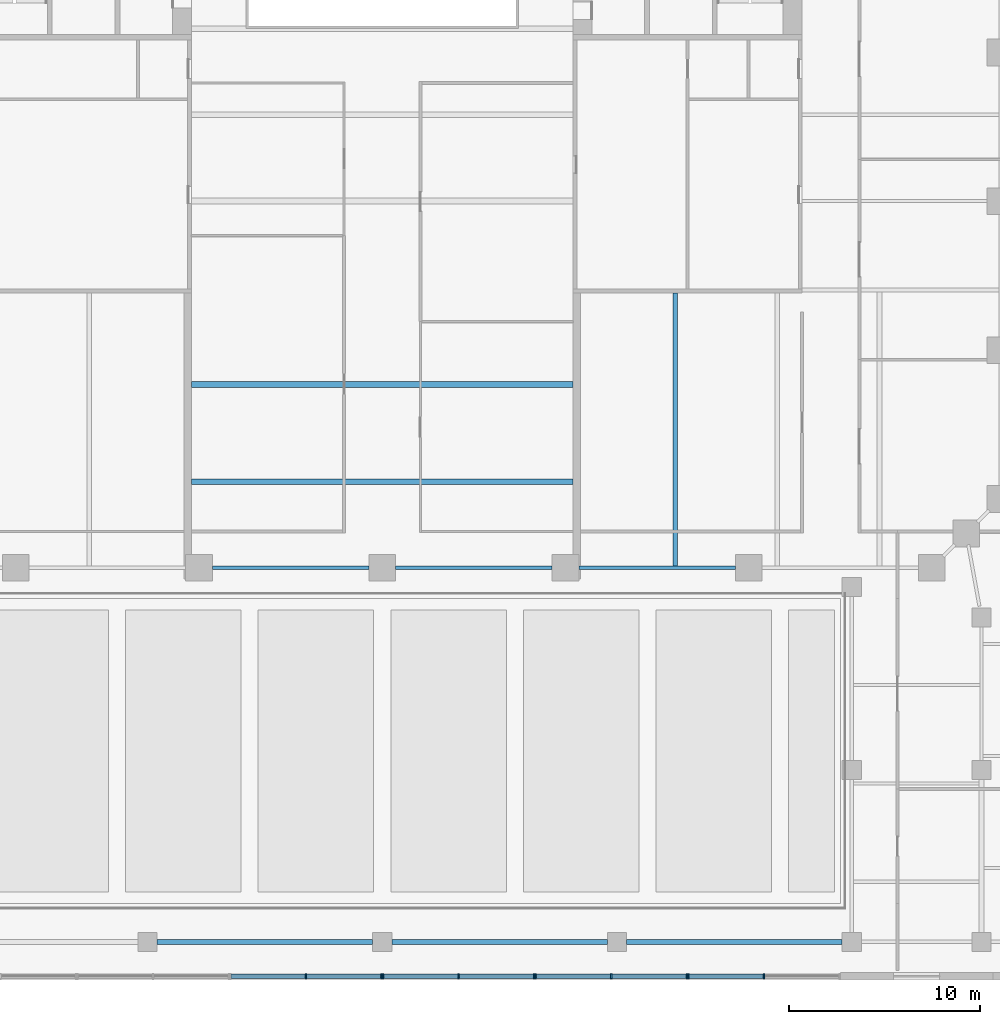
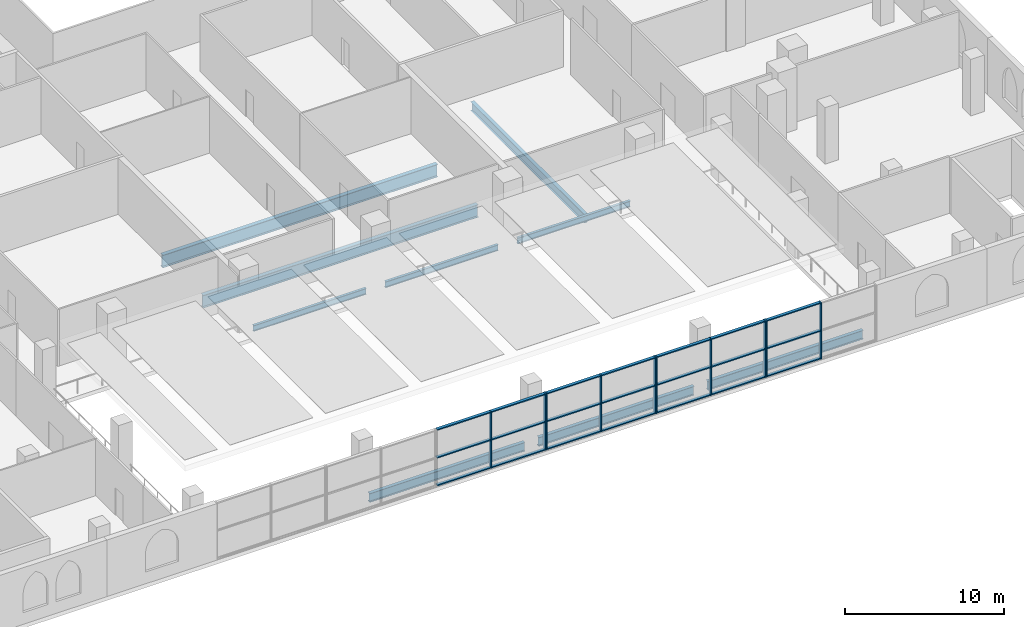
# One storey, part 3 of 18: 31 members, 9 beams, 4 elements without a shape of their own.
"""IFC4 building model written with IfcOpenShell, lengths in metres."""

from ifc_helpers import new_model, si_unit, direction, frame, origin, origin_2d, place, context, subcontext, project, spatial, rectangle, i_section, extrude, material, material_profile, profile_set, type_object, element, aggregate, save


model = new_model("IFC4")

# Units and contexts
model_context = context("Model", 3, precision=1e-05, world=origin(), true_north=direction((0.0, 1.0)))
body_context = subcontext(model_context, "Body", "Model", "MODEL_VIEW")
ifc_project = project(units=[si_unit("LENGTHUNIT", "METRE"), si_unit("AREAUNIT", "SQUARE_METRE"), si_unit("VOLUMEUNIT", "CUBIC_METRE"), si_unit("PLANEANGLEUNIT", "RADIAN"), si_unit("MASSUNIT", "GRAM", prefix="KILO")], contexts=[model_context])

# Site, building, storey
site_placement = place(None, origin())
site = spatial("IfcSite", under=ifc_project, at=site_placement, CompositionType="ELEMENT")
building_placement = place(site_placement, origin())
building = spatial("IfcBuilding", under=site, at=building_placement, Name="Ogive Exchange Tower", CompositionType="ELEMENT")
storey_placement = place(building_placement, frame((0.0, 0.0, 28.800048828125)))
storey = spatial("IfcBuildingStorey", under=building, at=storey_placement, Name="L05", CompositionType="ELEMENT", Elevation=28.800048828125)

# Beams
ifc_material_1 = material(Name="Steel ASTM A992 Gr50", Category="steel")
ifc_material_profile_1 = material_profile(ifc_material_1, i_section(OverallWidth=0.300048828125, OverallDepth=0.969970703125, WebThickness=0.01611328125, FlangeThickness=0.02099609375, at=origin_2d()), Name="W1000x222")
ifc_profile_set_1 = profile_set([ifc_material_profile_1], Name="Steel ASTM A992 Gr50")
beam_type_1 = type_object("IfcBeamType", Name="Floor beam W1000x222", PredefinedType="JOIST", material=ifc_profile_set_1)
for number, where, z_axis, x_axis, name in (
    (1, (-10.0, -25.896728515625, -0.78515625), (1.0, 0.0, 0.0), (0.0, 1.0, 0.0), "Floor beam"),
    (2, (-10.0, -20.793212890625, -0.78515625), (1.0, 0.0, 0.0), (0.0, 1.0, 0.0), "Floor beam"),
):
    element("IfcBeam", number, at=place(storey_placement, frame(where, z_axis=z_axis, x_axis=x_axis)), inside=storey, type_object=beam_type_1, Name=name, PredefinedType="JOIST", context=body_context, shape_type="SweptSolid", body=[
        extrude(i_section(OverallWidth=0.300048828125, OverallDepth=0.969970703125, WebThickness=0.01611328125, FlangeThickness=0.02099609375, at=origin_2d()), origin(), (0.0, 0.0, 1.0), 20.0),
    ])
ifc_material_profile_2 = material_profile(ifc_material_1, i_section(OverallWidth=0.25390625, OverallDepth=0.68310546875, WebThickness=0.012451171875, FlangeThickness=0.018798828125, at=origin_2d()), Name="W690x140")
ifc_profile_set_2 = profile_set([ifc_material_profile_2], Name="Steel ASTM A992 Gr50")
beam_type_2 = type_object("IfcBeamType", Name="Floor beam W690x140", PredefinedType="JOIST", material=ifc_profile_set_2)
beam_placement = place(storey_placement, frame((15.35009765625, -30.304443359375, -0.6416015625), z_axis=(0.0, 1.0, 0.0), x_axis=(-1.0, 0.0, 0.0)))
element("IfcBeam", 3, at=beam_placement, inside=storey, type_object=beam_type_2, Name="Floor beam", PredefinedType="JOIST", context=body_context, shape_type="SweptSolid", body=[
    extrude(i_section(OverallWidth=0.25390625, OverallDepth=0.68310546875, WebThickness=0.012451171875, FlangeThickness=0.018798828125, at=origin_2d()), origin(), (0.0, 0.0, 1.0), 14.304443359375),
])

# Curtain wall, members
ifc_material_2 = material(Name="Anodised aluminium and clear glass", Category="aluminium")
curtain_wall_type = type_object("IfcCurtainWallType", Name="Galleria end wall glazing", PredefinedType="NOTDEFINED", material=ifc_material_2)
curtain_wall_1_placement = place(storey_placement, origin())
curtain_wall_1 = element("IfcCurtainWall", 4, at=curtain_wall_1_placement, inside=storey, type_object=curtain_wall_type, Name="Galleria end wall glazing run GE6", PredefinedType="NOTDEFINED")
ifc_material_3 = material(Name="Anodised aluminium", Category="aluminium")
ifc_material_profile_3 = material_profile(ifc_material_3, rectangle(XDim=0.260009765625, YDim=0.080078125, at=origin_2d()), Name="AL 80x260")
ifc_profile_set_3 = profile_set([ifc_material_profile_3], Name="Anodised aluminium")
member_type_1 = type_object("IfcMemberType", Name="Galleria end wall glazing mullion 80 x 260", PredefinedType="MULLION", material=ifc_profile_set_3)
member_1_placement = place(storey_placement, frame((-4.0, -51.800048828125, 0.0), z_axis=(0.0, 0.0, 1.0), x_axis=(0.0, 1.0, 0.0)))
member_1 = element("IfcMember", 5, at=member_1_placement, type_object=member_type_1, Name="GE6 mullion 2", PredefinedType="MULLION", context=body_context, shape_type="SweptSolid", body=[
    extrude(rectangle(XDim=0.260009765625, YDim=0.080078125, at=origin_2d()), origin(), (0.0, 0.0, 1.0), 4.349853515625),
])
member_2_placement = place(storey_placement, frame((-0.0400390625, -51.800048828125, 0.0), z_axis=(0.0, 0.0, 1.0), x_axis=(0.0, 1.0, 0.0)))
member_2 = element("IfcMember", 6, at=member_2_placement, type_object=member_type_1, Name="GE6 mullion 3", PredefinedType="MULLION", context=body_context, shape_type="SweptSolid", body=[
    extrude(rectangle(XDim=0.260009765625, YDim=0.080078125, at=origin_2d()), origin(), (0.0, 0.0, 1.0), 4.349853515625),
])

curtain_wall_2_placement = place(storey_placement, origin())
curtain_wall_2 = element("IfcCurtainWall", 7, at=curtain_wall_2_placement, inside=storey, type_object=curtain_wall_type, Name="Galleria end wall glazing run GE7", PredefinedType="NOTDEFINED")
member_3_placement = place(storey_placement, frame((0.0400390625, -51.800048828125, 0.0), z_axis=(0.0, 0.0, 1.0), x_axis=(0.0, 1.0, 0.0)))
member_3 = element("IfcMember", 8, at=member_3_placement, type_object=member_type_1, Name="GE7 mullion 1", PredefinedType="MULLION", context=body_context, shape_type="SweptSolid", body=[
    extrude(rectangle(XDim=0.260009765625, YDim=0.080078125, at=origin_2d()), origin(), (0.0, 0.0, 1.0), 4.349853515625),
])
member_4_placement = place(storey_placement, frame((4.0, -51.800048828125, 0.0), z_axis=(0.0, 0.0, 1.0), x_axis=(0.0, 1.0, 0.0)))
member_4 = element("IfcMember", 9, at=member_4_placement, type_object=member_type_1, Name="GE7 mullion 2", PredefinedType="MULLION", context=body_context, shape_type="SweptSolid", body=[
    extrude(rectangle(XDim=0.260009765625, YDim=0.080078125, at=origin_2d()), origin(), (0.0, 0.0, 1.0), 4.349853515625),
])
member_5_placement = place(storey_placement, frame((7.9599609375, -51.800048828125, 0.0), z_axis=(0.0, 0.0, 1.0), x_axis=(0.0, 1.0, 0.0)))
member_5 = element("IfcMember", 10, at=member_5_placement, type_object=member_type_1, Name="GE7 mullion 3", PredefinedType="MULLION", context=body_context, shape_type="SweptSolid", body=[
    extrude(rectangle(XDim=0.260009765625, YDim=0.080078125, at=origin_2d()), origin(), (0.0, 0.0, 1.0), 4.349853515625),
])

curtain_wall_3_placement = place(storey_placement, origin())
curtain_wall_3 = element("IfcCurtainWall", 11, at=curtain_wall_3_placement, inside=storey, type_object=curtain_wall_type, Name="Galleria end wall glazing run GE8", PredefinedType="NOTDEFINED")
member_6_placement = place(storey_placement, frame((8.0400390625, -51.800048828125, 0.0), z_axis=(0.0, 0.0, 1.0), x_axis=(0.0, 1.0, 0.0)))
member_6 = element("IfcMember", 12, at=member_6_placement, type_object=member_type_1, Name="GE8 mullion 1", PredefinedType="MULLION", context=body_context, shape_type="SweptSolid", body=[
    extrude(rectangle(XDim=0.260009765625, YDim=0.080078125, at=origin_2d()), origin(), (0.0, 0.0, 1.0), 4.349853515625),
])
member_7_placement = place(storey_placement, frame((12.0, -51.800048828125, 0.0), z_axis=(0.0, 0.0, 1.0), x_axis=(0.0, 1.0, 0.0)))
member_7 = element("IfcMember", 13, at=member_7_placement, type_object=member_type_1, Name="GE8 mullion 2", PredefinedType="MULLION", context=body_context, shape_type="SweptSolid", body=[
    extrude(rectangle(XDim=0.260009765625, YDim=0.080078125, at=origin_2d()), origin(), (0.0, 0.0, 1.0), 4.349853515625),
])
member_8_placement = place(storey_placement, frame((15.9599609375, -51.800048828125, 0.0), z_axis=(0.0, 0.0, 1.0), x_axis=(0.0, 1.0, 0.0)))
member_8 = element("IfcMember", 14, at=member_8_placement, type_object=member_type_1, Name="GE8 mullion 3", PredefinedType="MULLION", context=body_context, shape_type="SweptSolid", body=[
    extrude(rectangle(XDim=0.260009765625, YDim=0.080078125, at=origin_2d()), origin(), (0.0, 0.0, 1.0), 4.349853515625),
])

curtain_wall_4_placement = place(storey_placement, origin())
curtain_wall_4 = element("IfcCurtainWall", 15, at=curtain_wall_4_placement, inside=storey, type_object=curtain_wall_type, Name="Galleria end wall glazing run GE9", PredefinedType="NOTDEFINED")
member_9_placement = place(storey_placement, frame((16.0400390625, -51.800048828125, 0.0), z_axis=(0.0, 0.0, 1.0), x_axis=(0.0, 1.0, 0.0)))
member_9 = element("IfcMember", 16, at=member_9_placement, type_object=member_type_1, Name="GE9 mullion 1", PredefinedType="MULLION", context=body_context, shape_type="SweptSolid", body=[
    extrude(rectangle(XDim=0.260009765625, YDim=0.080078125, at=origin_2d()), origin(), (0.0, 0.0, 1.0), 4.349853515625),
])
member_10_placement = place(storey_placement, frame((20.0, -51.800048828125, 0.0), z_axis=(0.0, 0.0, 1.0), x_axis=(0.0, 1.0, 0.0)))
member_10 = element("IfcMember", 17, at=member_10_placement, type_object=member_type_1, Name="GE9 mullion 2", PredefinedType="MULLION", context=body_context, shape_type="SweptSolid", body=[
    extrude(rectangle(XDim=0.260009765625, YDim=0.080078125, at=origin_2d()), origin(), (0.0, 0.0, 1.0), 4.349853515625),
])

# Member
ifc_material_profile_4 = material_profile(ifc_material_3, rectangle(XDim=0.219970703125, YDim=0.080078125, at=origin_2d()), Name="AL 80x220")
ifc_profile_set_4 = profile_set([ifc_material_profile_4], Name="Anodised aluminium")
member_type_2 = type_object("IfcMemberType", Name="Galleria end wall glazing transom 80 x 220", PredefinedType="USERDEFINED", material=ifc_profile_set_4)
member_11_placement = place(storey_placement, frame((-7.919921875, -51.800048828125, 0.0400390625), z_axis=(1.0, 0.0, 0.0), x_axis=(0.0, 1.0, 0.0)))
member_11 = element("IfcMember", 18, at=member_11_placement, type_object=member_type_2, Name="GE6 transom 1.1", ObjectType="TRANSOM", PredefinedType="USERDEFINED", context=body_context, shape_type="SweptSolid", body=[
    extrude(rectangle(XDim=0.219970703125, YDim=0.080078125, at=origin_2d()), origin(), (0.0, 0.0, 1.0), 3.8798828125),
])

member_12_placement = place(storey_placement, frame((-7.919921875, -51.800048828125, 2.175048828125), z_axis=(1.0, 0.0, 0.0), x_axis=(0.0, 1.0, 0.0)))
member_12 = element("IfcMember", 19, at=member_12_placement, type_object=member_type_2, Name="GE6 transom 1.2", ObjectType="TRANSOM", PredefinedType="USERDEFINED", context=body_context, shape_type="SweptSolid", body=[
    extrude(rectangle(XDim=0.219970703125, YDim=0.080078125, at=origin_2d()), origin(), (0.0, 0.0, 1.0), 3.8798828125),
])

member_13_placement = place(storey_placement, frame((-7.919921875, -51.800048828125, 4.31005859375), z_axis=(1.0, 0.0, 0.0), x_axis=(0.0, 1.0, 0.0)))
member_13 = element("IfcMember", 20, at=member_13_placement, type_object=member_type_2, Name="GE6 transom 1.3", ObjectType="TRANSOM", PredefinedType="USERDEFINED", context=body_context, shape_type="SweptSolid", body=[
    extrude(rectangle(XDim=0.219970703125, YDim=0.080078125, at=origin_2d()), origin(), (0.0, 0.0, 1.0), 3.8798828125),
])

member_14_placement = place(storey_placement, frame((-3.9599609375, -51.800048828125, 0.0400390625), z_axis=(1.0, 0.0, 0.0), x_axis=(0.0, 1.0, 0.0)))
member_14 = element("IfcMember", 21, at=member_14_placement, type_object=member_type_2, Name="GE6 transom 2.1", ObjectType="TRANSOM", PredefinedType="USERDEFINED", context=body_context, shape_type="SweptSolid", body=[
    extrude(rectangle(XDim=0.219970703125, YDim=0.080078125, at=origin_2d()), origin(), (0.0, 0.0, 1.0), 3.8798828125),
])

member_15_placement = place(storey_placement, frame((-3.9599609375, -51.800048828125, 2.175048828125), z_axis=(1.0, 0.0, 0.0), x_axis=(0.0, 1.0, 0.0)))
member_15 = element("IfcMember", 22, at=member_15_placement, type_object=member_type_2, Name="GE6 transom 2.2", ObjectType="TRANSOM", PredefinedType="USERDEFINED", context=body_context, shape_type="SweptSolid", body=[
    extrude(rectangle(XDim=0.219970703125, YDim=0.080078125, at=origin_2d()), origin(), (0.0, 0.0, 1.0), 3.8798828125),
])

member_16_placement = place(storey_placement, frame((-3.9599609375, -51.800048828125, 4.31005859375), z_axis=(1.0, 0.0, 0.0), x_axis=(0.0, 1.0, 0.0)))
member_16 = element("IfcMember", 23, at=member_16_placement, type_object=member_type_2, Name="GE6 transom 2.3", ObjectType="TRANSOM", PredefinedType="USERDEFINED", context=body_context, shape_type="SweptSolid", body=[
    extrude(rectangle(XDim=0.219970703125, YDim=0.080078125, at=origin_2d()), origin(), (0.0, 0.0, 1.0), 3.8798828125),
])

aggregate(curtain_wall_1, [member_1, member_2, member_11, member_12, member_13, member_14, member_15, member_16])

member_17_placement = place(storey_placement, frame((0.080078125, -51.800048828125, 0.0400390625), z_axis=(1.0, 0.0, 0.0), x_axis=(0.0, 1.0, 0.0)))
member_17 = element("IfcMember", 24, at=member_17_placement, type_object=member_type_2, Name="GE7 transom 1.1", ObjectType="TRANSOM", PredefinedType="USERDEFINED", context=body_context, shape_type="SweptSolid", body=[
    extrude(rectangle(XDim=0.219970703125, YDim=0.080078125, at=origin_2d()), origin(), (0.0, 0.0, 1.0), 3.8798828125),
])

member_18_placement = place(storey_placement, frame((0.080078125, -51.800048828125, 2.175048828125), z_axis=(1.0, 0.0, 0.0), x_axis=(0.0, 1.0, 0.0)))
member_18 = element("IfcMember", 25, at=member_18_placement, type_object=member_type_2, Name="GE7 transom 1.2", ObjectType="TRANSOM", PredefinedType="USERDEFINED", context=body_context, shape_type="SweptSolid", body=[
    extrude(rectangle(XDim=0.219970703125, YDim=0.080078125, at=origin_2d()), origin(), (0.0, 0.0, 1.0), 3.8798828125),
])

member_19_placement = place(storey_placement, frame((0.080078125, -51.800048828125, 4.31005859375), z_axis=(1.0, 0.0, 0.0), x_axis=(0.0, 1.0, 0.0)))
member_19 = element("IfcMember", 26, at=member_19_placement, type_object=member_type_2, Name="GE7 transom 1.3", ObjectType="TRANSOM", PredefinedType="USERDEFINED", context=body_context, shape_type="SweptSolid", body=[
    extrude(rectangle(XDim=0.219970703125, YDim=0.080078125, at=origin_2d()), origin(), (0.0, 0.0, 1.0), 3.8798828125),
])

member_20_placement = place(storey_placement, frame((4.0400390625, -51.800048828125, 0.0400390625), z_axis=(1.0, 0.0, 0.0), x_axis=(0.0, 1.0, 0.0)))
member_20 = element("IfcMember", 27, at=member_20_placement, type_object=member_type_2, Name="GE7 transom 2.1", ObjectType="TRANSOM", PredefinedType="USERDEFINED", context=body_context, shape_type="SweptSolid", body=[
    extrude(rectangle(XDim=0.219970703125, YDim=0.080078125, at=origin_2d()), origin(), (0.0, 0.0, 1.0), 3.8798828125),
])

member_21_placement = place(storey_placement, frame((4.0400390625, -51.800048828125, 2.175048828125), z_axis=(1.0, 0.0, 0.0), x_axis=(0.0, 1.0, 0.0)))
member_21 = element("IfcMember", 28, at=member_21_placement, type_object=member_type_2, Name="GE7 transom 2.2", ObjectType="TRANSOM", PredefinedType="USERDEFINED", context=body_context, shape_type="SweptSolid", body=[
    extrude(rectangle(XDim=0.219970703125, YDim=0.080078125, at=origin_2d()), origin(), (0.0, 0.0, 1.0), 3.8798828125),
])

member_22_placement = place(storey_placement, frame((4.0400390625, -51.800048828125, 4.31005859375), z_axis=(1.0, 0.0, 0.0), x_axis=(0.0, 1.0, 0.0)))
member_22 = element("IfcMember", 29, at=member_22_placement, type_object=member_type_2, Name="GE7 transom 2.3", ObjectType="TRANSOM", PredefinedType="USERDEFINED", context=body_context, shape_type="SweptSolid", body=[
    extrude(rectangle(XDim=0.219970703125, YDim=0.080078125, at=origin_2d()), origin(), (0.0, 0.0, 1.0), 3.8798828125),
])

aggregate(curtain_wall_2, [member_3, member_4, member_5, member_17, member_18, member_19, member_20, member_21, member_22])

member_23_placement = place(storey_placement, frame((8.080078125, -51.800048828125, 0.0400390625), z_axis=(1.0, 0.0, 0.0), x_axis=(0.0, 1.0, 0.0)))
member_23 = element("IfcMember", 30, at=member_23_placement, type_object=member_type_2, Name="GE8 transom 1.1", ObjectType="TRANSOM", PredefinedType="USERDEFINED", context=body_context, shape_type="SweptSolid", body=[
    extrude(rectangle(XDim=0.219970703125, YDim=0.080078125, at=origin_2d()), origin(), (0.0, 0.0, 1.0), 3.8798828125),
])

member_24_placement = place(storey_placement, frame((8.080078125, -51.800048828125, 2.175048828125), z_axis=(1.0, 0.0, 0.0), x_axis=(0.0, 1.0, 0.0)))
member_24 = element("IfcMember", 31, at=member_24_placement, type_object=member_type_2, Name="GE8 transom 1.2", ObjectType="TRANSOM", PredefinedType="USERDEFINED", context=body_context, shape_type="SweptSolid", body=[
    extrude(rectangle(XDim=0.219970703125, YDim=0.080078125, at=origin_2d()), origin(), (0.0, 0.0, 1.0), 3.8798828125),
])

member_25_placement = place(storey_placement, frame((8.080078125, -51.800048828125, 4.31005859375), z_axis=(1.0, 0.0, 0.0), x_axis=(0.0, 1.0, 0.0)))
member_25 = element("IfcMember", 32, at=member_25_placement, type_object=member_type_2, Name="GE8 transom 1.3", ObjectType="TRANSOM", PredefinedType="USERDEFINED", context=body_context, shape_type="SweptSolid", body=[
    extrude(rectangle(XDim=0.219970703125, YDim=0.080078125, at=origin_2d()), origin(), (0.0, 0.0, 1.0), 3.8798828125),
])

member_26_placement = place(storey_placement, frame((12.0400390625, -51.800048828125, 0.0400390625), z_axis=(1.0, 0.0, 0.0), x_axis=(0.0, 1.0, 0.0)))
member_26 = element("IfcMember", 33, at=member_26_placement, type_object=member_type_2, Name="GE8 transom 2.1", ObjectType="TRANSOM", PredefinedType="USERDEFINED", context=body_context, shape_type="SweptSolid", body=[
    extrude(rectangle(XDim=0.219970703125, YDim=0.080078125, at=origin_2d()), origin(), (0.0, 0.0, 1.0), 3.8798828125),
])

member_27_placement = place(storey_placement, frame((12.0400390625, -51.800048828125, 2.175048828125), z_axis=(1.0, 0.0, 0.0), x_axis=(0.0, 1.0, 0.0)))
member_27 = element("IfcMember", 34, at=member_27_placement, type_object=member_type_2, Name="GE8 transom 2.2", ObjectType="TRANSOM", PredefinedType="USERDEFINED", context=body_context, shape_type="SweptSolid", body=[
    extrude(rectangle(XDim=0.219970703125, YDim=0.080078125, at=origin_2d()), origin(), (0.0, 0.0, 1.0), 3.8798828125),
])

member_28_placement = place(storey_placement, frame((12.0400390625, -51.800048828125, 4.31005859375), z_axis=(1.0, 0.0, 0.0), x_axis=(0.0, 1.0, 0.0)))
member_28 = element("IfcMember", 35, at=member_28_placement, type_object=member_type_2, Name="GE8 transom 2.3", ObjectType="TRANSOM", PredefinedType="USERDEFINED", context=body_context, shape_type="SweptSolid", body=[
    extrude(rectangle(XDim=0.219970703125, YDim=0.080078125, at=origin_2d()), origin(), (0.0, 0.0, 1.0), 3.8798828125),
])

aggregate(curtain_wall_3, [member_6, member_7, member_8, member_23, member_24, member_25, member_26, member_27, member_28])

member_29_placement = place(storey_placement, frame((16.080078125, -51.800048828125, 0.0400390625), z_axis=(1.0, 0.0, 0.0), x_axis=(0.0, 1.0, 0.0)))
member_29 = element("IfcMember", 36, at=member_29_placement, type_object=member_type_2, Name="GE9 transom 1.1", ObjectType="TRANSOM", PredefinedType="USERDEFINED", context=body_context, shape_type="SweptSolid", body=[
    extrude(rectangle(XDim=0.219970703125, YDim=0.080078125, at=origin_2d()), origin(), (0.0, 0.0, 1.0), 3.8798828125),
])

member_30_placement = place(storey_placement, frame((16.080078125, -51.800048828125, 2.175048828125), z_axis=(1.0, 0.0, 0.0), x_axis=(0.0, 1.0, 0.0)))
member_30 = element("IfcMember", 37, at=member_30_placement, type_object=member_type_2, Name="GE9 transom 1.2", ObjectType="TRANSOM", PredefinedType="USERDEFINED", context=body_context, shape_type="SweptSolid", body=[
    extrude(rectangle(XDim=0.219970703125, YDim=0.080078125, at=origin_2d()), origin(), (0.0, 0.0, 1.0), 3.8798828125),
])

member_31_placement = place(storey_placement, frame((16.080078125, -51.800048828125, 4.31005859375), z_axis=(1.0, 0.0, 0.0), x_axis=(0.0, 1.0, 0.0)))
member_31 = element("IfcMember", 38, at=member_31_placement, type_object=member_type_2, Name="GE9 transom 1.3", ObjectType="TRANSOM", PredefinedType="USERDEFINED", context=body_context, shape_type="SweptSolid", body=[
    extrude(rectangle(XDim=0.219970703125, YDim=0.080078125, at=origin_2d()), origin(), (0.0, 0.0, 1.0), 3.8798828125),
])

aggregate(curtain_wall_4, [member_9, member_10, member_29, member_30, member_31])

# Beams
ifc_material_profile_5 = material_profile(ifc_material_1, i_section(OverallWidth=0.19091796875, OverallDepth=0.45703125, WebThickness=0.009033203125, FlangeThickness=0.014404296875, at=origin_2d()), Name="W460x74")
ifc_profile_set_5 = profile_set([ifc_material_profile_5], Name="Steel ASTM A992 Gr50")
beam_type_3 = type_object("IfcBeamType", Name="Girder W460x74", PredefinedType="BEAM", material=ifc_profile_set_5)
for number, where, z_axis, x_axis, name in (
    (39, (-8.89990234375, -30.39990234375, -0.528564453125), (1.0, 0.0, 0.0), (0.0, 1.0, 0.0), "Girder"),
    (40, (0.699951171875, -30.39990234375, -0.528564453125), (1.0, 0.0, 0.0), (0.0, 1.0, 0.0), "Girder"),
    (41, (10.300048828125, -30.39990234375, -0.528564453125), (1.0, 0.0, 0.0), (0.0, 1.0, 0.0), "Girder"),
):
    element("IfcBeam", number, at=place(storey_placement, frame(where, z_axis=z_axis, x_axis=x_axis)), inside=storey, type_object=beam_type_3, Name=name, PredefinedType="BEAM", context=body_context, shape_type="SweptSolid", body=[
        extrude(i_section(OverallWidth=0.19091796875, OverallDepth=0.45703125, WebThickness=0.009033203125, FlangeThickness=0.014404296875, at=origin_2d()), origin(), (0.0, 0.0, 1.0), 8.199951171875),
    ])
ifc_material_profile_6 = material_profile(ifc_material_1, i_section(OverallWidth=0.25390625, OverallDepth=0.677978515625, WebThickness=0.01171875, FlangeThickness=0.016357421875, at=origin_2d()), Name="W690x125")
ifc_profile_set_6 = profile_set([ifc_material_profile_6], Name="Steel ASTM A992 Gr50")
beam_type_4 = type_object("IfcBeamType", Name="Girder W690x125", PredefinedType="BEAM", material=ifc_profile_set_6)
for number, where, z_axis, x_axis, name in (
    (42, (-11.800048828125, -50.0, -0.63916015625), (1.0, 0.0, 0.0), (0.0, 1.0, 0.0), "Girder"),
    (43, (0.5, -50.0, -0.63916015625), (1.0, 0.0, 0.0), (0.0, 1.0, 0.0), "Girder"),
    (44, (12.800048828125, -50.0, -0.63916015625), (1.0, 0.0, 0.0), (0.0, 1.0, 0.0), "Girder"),
):
    element("IfcBeam", number, at=place(storey_placement, frame(where, z_axis=z_axis, x_axis=x_axis)), inside=storey, type_object=beam_type_4, Name=name, PredefinedType="BEAM", context=body_context, shape_type="SweptSolid", body=[
        extrude(i_section(OverallWidth=0.25390625, OverallDepth=0.677978515625, WebThickness=0.01171875, FlangeThickness=0.016357421875, at=origin_2d()), origin(), (0.0, 0.0, 1.0), 11.300048828125),
    ])

save(model, "model.ifc")
